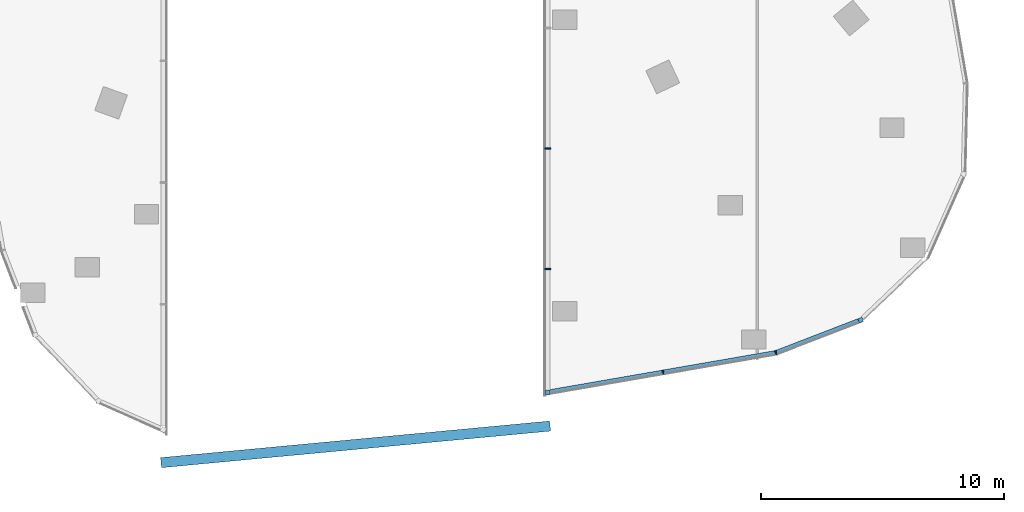
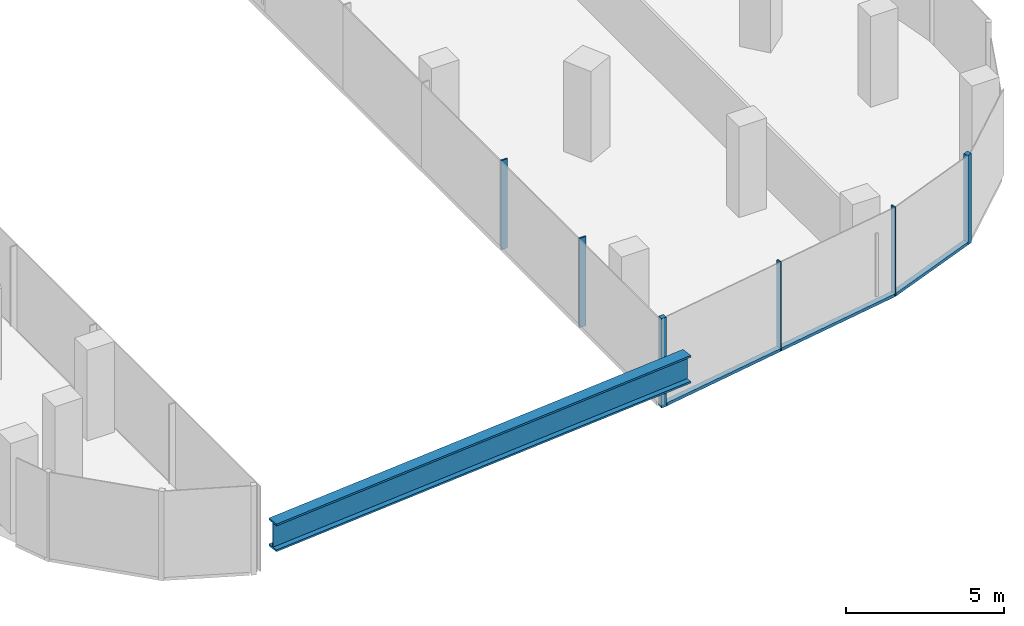
# One storey, part 3 of 24: 8 members, 1 beam, 3 elements without a shape of their own.
"""IFC4 building model written with IfcOpenShell, lengths in metres."""

from ifc_helpers import new_model, si_unit, direction, frame, origin, origin_2d, place, context, subcontext, project, spatial, rectangle, i_section, extrude, material, material_profile, profile_set, type_object, element, aggregate, save


model = new_model("IFC4")

# Units and contexts
model_context = context("Model", 3, precision=1e-05, world=origin(), true_north=direction((0.0, 1.0)))
body_context = subcontext(model_context, "Body", "Model", "MODEL_VIEW")
ifc_project = project(units=[si_unit("LENGTHUNIT", "METRE"), si_unit("AREAUNIT", "SQUARE_METRE"), si_unit("VOLUMEUNIT", "CUBIC_METRE"), si_unit("PLANEANGLEUNIT", "RADIAN"), si_unit("MASSUNIT", "GRAM", prefix="KILO")], contexts=[model_context])

# Site, building, storey
site_placement = place(None, origin())
site = spatial("IfcSite", under=ifc_project, at=site_placement, CompositionType="ELEMENT")
building_placement = place(site_placement, origin())
building = spatial("IfcBuilding", under=site, at=building_placement, Name="Orlundy Tower", CompositionType="ELEMENT")
storey_placement = place(building_placement, frame((0.0, 0.0, 267.5)))
storey = spatial("IfcBuildingStorey", under=building, at=storey_placement, Name="L71", CompositionType="ELEMENT", Elevation=267.5)

# Curtain wall, member
ifc_material_1 = material(Name="Aluminium bronze anodised", Category="aluminium")
curtain_wall_type = type_object("IfcCurtainWallType", Name="CW1 wall", PredefinedType="NOTDEFINED", material=ifc_material_1)
curtain_wall_1_placement = place(storey_placement, origin())
curtain_wall_1 = element("IfcCurtainWall", 1, at=curtain_wall_1_placement, inside=storey, type_object=curtain_wall_type, Name="CW1 run 116", PredefinedType="NOTDEFINED")
ifc_material_2 = material(Name="Aluminium bronze anodised", Category="aluminium")
ifc_material_profile_1 = material_profile(ifc_material_2, rectangle(XDim=0.179931640625, YDim=0.179931640625, at=origin_2d()), Name="CW1 corner post 180x180")
ifc_profile_set_1 = profile_set([ifc_material_profile_1], Name="Aluminium bronze anodised")
member_type_1 = type_object("IfcMemberType", Name="CW1 corner post 180x180", PredefinedType="MULLION", material=ifc_profile_set_1)
member_1_placement = place(storey_placement, frame((20.77001953125, -36.85546875, -0.39990234375), z_axis=(0.0, 0.0, 1.0), x_axis=(0.359828461467, -0.933018476944, 0.0)))
member_1 = element("IfcMember", 2, at=member_1_placement, type_object=member_type_1, Name="CW1 mullion 23", PredefinedType="MULLION", context=body_context, shape_type="SweptSolid", body=[
    extrude(rectangle(XDim=0.179931640625, YDim=0.179931640625, at=origin_2d()), origin(), (0.0, 0.0, 1.0), 3.449951171875),
])

curtain_wall_2_placement = place(storey_placement, origin())
curtain_wall_2 = element("IfcCurtainWall", 3, at=curtain_wall_2_placement, inside=storey, type_object=curtain_wall_type, Name="CW1 run 118", PredefinedType="NOTDEFINED")
member_2_placement = place(storey_placement, frame((7.909912109375, -39.823974609375, -0.39990234375), z_axis=(0.0, 0.0, 1.0), x_axis=(-1.0, 0.0, 0.0)))
member_2 = element("IfcMember", 4, at=member_2_placement, type_object=member_type_1, Name="CW1 mullion 26", PredefinedType="MULLION", context=body_context, shape_type="SweptSolid", body=[
    extrude(rectangle(XDim=0.179931640625, YDim=0.179931640625, at=origin_2d()), origin(), (0.0, 0.0, 1.0), 3.449951171875),
])

# Curtain wall, members
curtain_wall_3_placement = place(storey_placement, origin())
curtain_wall_3 = element("IfcCurtainWall", 5, at=curtain_wall_3_placement, inside=storey, type_object=curtain_wall_type, Name="CW1 run 117", PredefinedType="NOTDEFINED")
ifc_material_3 = material(Name="Aluminium bronze anodised", Category="aluminium")
ifc_material_profile_2 = material_profile(ifc_material_3, rectangle(XDim=0.179931640625, YDim=0.050048828125, at=origin_2d()), Name="CW1 mullion 50x180")
ifc_profile_set_2 = profile_set([ifc_material_profile_2], Name="Aluminium bronze anodised")
member_type_2 = type_object("IfcMemberType", Name="CW1 mullion 50x180", PredefinedType="MULLION", material=ifc_profile_set_2)
member_3_placement = place(storey_placement, frame((17.2861328125, -38.19921875, -0.39990234375), z_axis=(0.0, 0.0, 1.0), x_axis=(0.266571821277, -0.963815057001, 0.0)))
member_3 = element("IfcMember", 6, at=member_3_placement, type_object=member_type_2, Name="CW1 mullion 24", PredefinedType="MULLION", context=body_context, shape_type="SweptSolid", body=[
    extrude(rectangle(XDim=0.179931640625, YDim=0.050048828125, at=origin_2d()), origin(), (0.0, 0.0, 1.0), 3.449951171875),
])
member_4_placement = place(storey_placement, frame((12.646484375, -39.003173828125, -0.39990234375), z_axis=(0.0, 0.0, 1.0), x_axis=(0.170744034483, -0.985315418883, 0.0)))
member_4 = element("IfcMember", 7, at=member_4_placement, type_object=member_type_2, Name="CW1 mullion 25", PredefinedType="MULLION", context=body_context, shape_type="SweptSolid", body=[
    extrude(rectangle(XDim=0.179931640625, YDim=0.050048828125, at=origin_2d()), origin(), (0.0, 0.0, 1.0), 3.449951171875),
])

# Member
ifc_material_4 = material(Name="Aluminium bronze anodised", Category="aluminium")
ifc_material_profile_3 = material_profile(ifc_material_4, rectangle(XDim=0.179931640625, YDim=0.1201171875, at=origin_2d()), Name="CW1 transom 180x120")
ifc_profile_set_3 = profile_set([ifc_material_profile_3], Name="Aluminium bronze anodised")
member_type_3 = type_object("IfcMemberType", Name="CW1 transom 180x120", PredefinedType="USERDEFINED", material=ifc_profile_set_3)
member_5_placement = place(storey_placement, frame((20.68603515625, -36.887939453125, -0.340087890625), z_axis=(-0.933011365774, -0.359846899858, 0.0), x_axis=(0.359846899858, -0.933011365774, 0.0)))
member_5 = element("IfcMember", 8, at=member_5_placement, type_object=member_type_3, Name="CW1 transom", ObjectType="TRANSOM", PredefinedType="USERDEFINED", context=body_context, shape_type="SweptSolid", body=[
    extrude(rectangle(XDim=0.179931640625, YDim=0.1201171875, at=origin_2d()), origin(), (0.0, 0.0, 1.0), 3.618896484375),
])

aggregate(curtain_wall_1, [member_1, member_5])

member_6_placement = place(storey_placement, frame((17.261474609375, -38.203369140625, -0.340087890625), z_axis=(-0.985314499235, -0.170749341426, 0.0), x_axis=(0.170749341426, -0.985314499235, 0.0)))
member_6 = element("IfcMember", 9, at=member_6_placement, type_object=member_type_3, Name="CW1 transom", ObjectType="TRANSOM", PredefinedType="USERDEFINED", context=body_context, shape_type="SweptSolid", body=[
    extrude(rectangle(XDim=0.179931640625, YDim=0.1201171875, at=origin_2d()), origin(), (0.0, 0.0, 1.0), 9.3837890625),
])

aggregate(curtain_wall_3, [member_3, member_4, member_6])

ifc_material_5 = material(Name="Aluminium bronze anodised", Category="aluminium")
ifc_material_profile_4 = material_profile(ifc_material_5, rectangle(XDim=0.239990234375, YDim=0.050048828125, at=origin_2d()), Name="CW6 mullion 50x240")
ifc_profile_set_4 = profile_set([ifc_material_profile_4], Name="Aluminium bronze anodised")
member_type_4 = type_object("IfcMemberType", Name="CW6 mullion 50x240", PredefinedType="MULLION", material=ifc_profile_set_4)
member_7_placement = place(storey_placement, frame((7.909912109375, -34.76025390625, -0.39990234375), z_axis=(0.0, 0.0, 1.0), x_axis=(-1.0, 0.0, 0.0)))
member_7 = element("IfcMember", 10, at=member_7_placement, type_object=member_type_4, Name="CW6 mullion 27", PredefinedType="MULLION", context=body_context, shape_type="SweptSolid", body=[
    extrude(rectangle(XDim=0.239990234375, YDim=0.050048828125, at=origin_2d()), origin(), (0.0, 0.0, 1.0), 3.449951171875),
])

member_8_placement = place(storey_placement, frame((7.909912109375, -29.80322265625, -0.39990234375), z_axis=(0.0, 0.0, 1.0), x_axis=(-1.0, 0.0, 0.0)))
member_8 = element("IfcMember", 11, at=member_8_placement, type_object=member_type_4, Name="CW6 mullion 28", PredefinedType="MULLION", context=body_context, shape_type="SweptSolid", body=[
    extrude(rectangle(XDim=0.239990234375, YDim=0.050048828125, at=origin_2d()), origin(), (0.0, 0.0, 1.0), 3.449951171875),
])

aggregate(curtain_wall_2, [member_2, member_7, member_8])

# Beam
ifc_material_6 = material(Name="Steel ASTM A992 Gr 50", Category="steel")
ifc_material_profile_5 = material_profile(ifc_material_6, i_section(OverallWidth=0.41650390625, OverallDepth=1.068115234375, WebThickness=0.0390625, FlangeThickness=0.070068359375, at=origin_2d()), Name="W40X503")
ifc_profile_set_5 = profile_set([ifc_material_profile_5], Name="Steel ASTM A992 Gr 50")
beam_type = type_object("IfcBeamType", Name="PORTAL GATE beam W40X503", PredefinedType="BEAM", material=ifc_profile_set_5)
beam_placement = place(storey_placement, frame((-8.0, -42.722900390625, 1.946533203125), z_axis=(0.99560027704, 0.093702125683, 0.0), x_axis=(-0.093702125683, 0.99560027704, 0.0)))
element("IfcBeam", 12, at=beam_placement, inside=storey, type_object=beam_type, Name="Portal gate lintel S", PredefinedType="BEAM", context=body_context, shape_type="SweptSolid", body=[
    extrude(i_section(OverallWidth=0.41650390625, OverallDepth=1.068115234375, WebThickness=0.0390625, FlangeThickness=0.070068359375, at=origin_2d()), origin(), (0.0, 0.0, 1.0), 16.07080078125),
])

save(model, "model.ifc")
